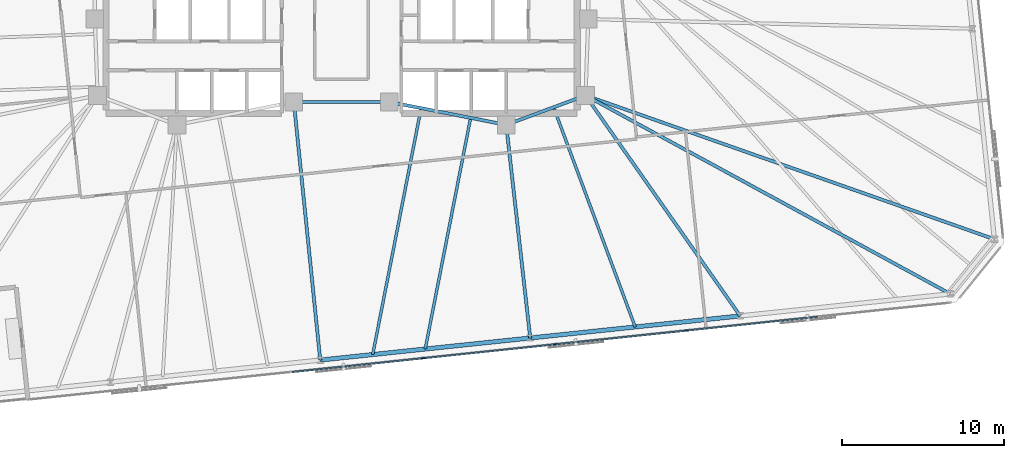
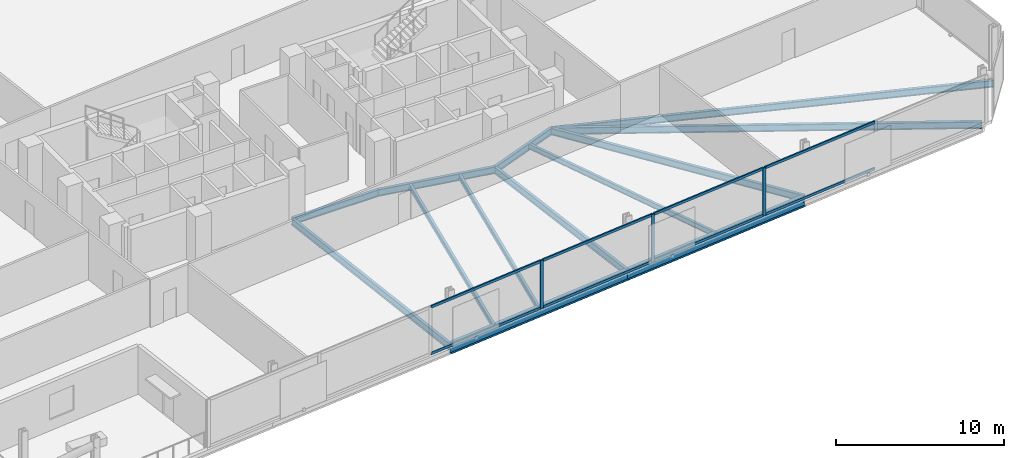
# One storey, part 7 of 18: 13 beams, 11 members, 1 element without a shape of its own.
"""IFC4 building model written with IfcOpenShell, lengths in metres."""

from ifc_helpers import new_model, si_unit, direction, frame, origin, origin_2d, place, context, subcontext, project, spatial, rectangle, i_section, extrude, material, material_profile, profile_set, type_object, element, aggregate, save


model = new_model("IFC4")

# Units and contexts
model_context = context("Model", 3, precision=1e-05, world=origin(), true_north=direction((0.0, 1.0)))
body_context = subcontext(model_context, "Body", "Model", "MODEL_VIEW")
ifc_project = project(units=[si_unit("LENGTHUNIT", "METRE"), si_unit("AREAUNIT", "SQUARE_METRE"), si_unit("VOLUMEUNIT", "CUBIC_METRE"), si_unit("PLANEANGLEUNIT", "RADIAN"), si_unit("MASSUNIT", "GRAM", prefix="KILO")], contexts=[model_context])

# Site, building, storey
site_placement = place(None, origin())
site = spatial("IfcSite", under=ifc_project, at=site_placement, CompositionType="ELEMENT")
building_placement = place(site_placement, origin())
building = spatial("IfcBuilding", under=site, at=building_placement, Name="Menara Jurai Vektor", CompositionType="ELEMENT")
storey_placement = place(building_placement, frame((0.0, 0.0, 113.300048828125)))
storey = spatial("IfcBuildingStorey", under=building, at=storey_placement, Name="L28", CompositionType="ELEMENT", Elevation=113.300048828125)

# Curtain wall, members
ifc_material_1 = material(Name="Anodised Pale Aluminium & Low-E Double Glazing", Category="aluminium")
curtain_wall_type = type_object("IfcCurtainWallType", Name="CW-BLK2", PredefinedType="NOTDEFINED", material=ifc_material_1)
curtain_wall_placement = place(storey_placement, origin())
curtain_wall = element("IfcCurtainWall", 1, at=curtain_wall_placement, inside=storey, type_object=curtain_wall_type, Name="Unitised Curtain Wall L28 F03", PredefinedType="NOTDEFINED")
ifc_material_2 = material(Name="Anodised Pale Aluminium Mullion", Category="aluminium")
ifc_material_profile_1 = material_profile(ifc_material_2, rectangle(XDim=0.090087890625, YDim=0.219970703125, at=origin_2d()), Name="ALU MUL 90x220")
ifc_profile_set_1 = profile_set([ifc_material_profile_1], Name="Anodised Pale Aluminium Mullion")
member_type_1 = type_object("IfcMemberType", Name="CW-BLK2-MUL", PredefinedType="MULLION", material=ifc_profile_set_1)
member_1_placement = place(storey_placement, frame((5.047119140625, -20.741943359375, 0.0), z_axis=(0.0, 0.0, 1.0), x_axis=(-0.104528945794, 0.994521844653, 0.0)))
member_1 = element("IfcMember", 2, at=member_1_placement, type_object=member_type_1, Name="CW-02 mullion 4", PredefinedType="MULLION", context=body_context, shape_type="SweptSolid", body=[
    extrude(rectangle(XDim=0.090087890625, YDim=0.219970703125, at=origin_2d()), origin(), (0.0, 0.0, 1.0), 3.474853515625),
])
member_2_placement = place(storey_placement, frame((13.190673828125, -19.885986328125, 0.0), z_axis=(0.0, 0.0, 1.0), x_axis=(-0.104528945794, 0.994521844653, 0.0)))
member_2 = element("IfcMember", 3, at=member_2_placement, type_object=member_type_1, Name="CW-02 mullion 5", PredefinedType="MULLION", context=body_context, shape_type="SweptSolid", body=[
    extrude(rectangle(XDim=0.090087890625, YDim=0.219970703125, at=origin_2d()), origin(), (0.0, 0.0, 1.0), 3.474853515625),
])
member_3_placement = place(storey_placement, frame((21.33447265625, -19.030029296875, 0.0), z_axis=(0.0, 0.0, 1.0), x_axis=(-0.104528945794, 0.994521844653, 0.0)))
member_3 = element("IfcMember", 4, at=member_3_placement, type_object=member_type_1, Name="CW-02 mullion 6", PredefinedType="MULLION", context=body_context, shape_type="SweptSolid", body=[
    extrude(rectangle(XDim=0.090087890625, YDim=0.219970703125, at=origin_2d()), origin(), (0.0, 0.0, 1.0), 3.474853515625),
])
ifc_material_3 = material(Name="Anodised Pale Aluminium Transom", Category="aluminium")
ifc_material_profile_2 = material_profile(ifc_material_3, rectangle(XDim=0.090087890625, YDim=0.18505859375, at=origin_2d()), Name="ALU TRN 90x185")
ifc_profile_set_2 = profile_set([ifc_material_profile_2], Name="Anodised Pale Aluminium Transom")
member_type_2 = type_object("IfcMemberType", Name="CW-BLK2-TRN", PredefinedType="USERDEFINED", material=ifc_profile_set_2)
member_4_placement = place(storey_placement, frame((-3.052001953125, -21.593017578125, 0.044921875), z_axis=(0.994523113505, 0.104516872826, 0.0), x_axis=(-0.104516872826, 0.994523113505, 0.0)))
member_4 = element("IfcMember", 5, at=member_4_placement, type_object=member_type_2, Name="CW-02 transom 3.1", ObjectType="TRANSOM", PredefinedType="USERDEFINED", context=body_context, shape_type="SweptSolid", body=[
    extrude(rectangle(XDim=0.090087890625, YDim=0.18505859375, at=origin_2d()), origin(), (0.0, 0.0, 1.0), 8.0986328125),
])
member_5_placement = place(storey_placement, frame((-3.052001953125, -21.593017578125, 3.429931640625), z_axis=(0.994523113505, 0.104516872826, 0.0), x_axis=(-0.104516872826, 0.994523113505, 0.0)))
member_5 = element("IfcMember", 6, at=member_5_placement, type_object=member_type_2, Name="CW-02 transom 3.2", ObjectType="TRANSOM", PredefinedType="USERDEFINED", context=body_context, shape_type="SweptSolid", body=[
    extrude(rectangle(XDim=0.090087890625, YDim=0.18505859375, at=origin_2d()), origin(), (0.0, 0.0, 1.0), 8.0986328125),
])
member_6_placement = place(storey_placement, frame((5.091796875, -20.737060546875, 0.044921875), z_axis=(0.994523113505, 0.104516872826, 0.0), x_axis=(-0.104516872826, 0.994523113505, 0.0)))
member_6 = element("IfcMember", 7, at=member_6_placement, type_object=member_type_2, Name="CW-02 transom 4.1", ObjectType="TRANSOM", PredefinedType="USERDEFINED", context=body_context, shape_type="SweptSolid", body=[
    extrude(rectangle(XDim=0.090087890625, YDim=0.18505859375, at=origin_2d()), origin(), (0.0, 0.0, 1.0), 8.0986328125),
])
member_7_placement = place(storey_placement, frame((5.091796875, -20.737060546875, 3.429931640625), z_axis=(0.994523113505, 0.104516872826, 0.0), x_axis=(-0.104516872826, 0.994523113505, 0.0)))
member_7 = element("IfcMember", 8, at=member_7_placement, type_object=member_type_2, Name="CW-02 transom 4.2", ObjectType="TRANSOM", PredefinedType="USERDEFINED", context=body_context, shape_type="SweptSolid", body=[
    extrude(rectangle(XDim=0.090087890625, YDim=0.18505859375, at=origin_2d()), origin(), (0.0, 0.0, 1.0), 8.0986328125),
])
member_8_placement = place(storey_placement, frame((13.235595703125, -19.881103515625, 0.044921875), z_axis=(0.994523113505, 0.104516872826, 0.0), x_axis=(-0.104516872826, 0.994523113505, 0.0)))
member_8 = element("IfcMember", 9, at=member_8_placement, type_object=member_type_2, Name="CW-02 transom 5.1", ObjectType="TRANSOM", PredefinedType="USERDEFINED", context=body_context, shape_type="SweptSolid", body=[
    extrude(rectangle(XDim=0.090087890625, YDim=0.18505859375, at=origin_2d()), origin(), (0.0, 0.0, 1.0), 8.0986328125),
])
member_9_placement = place(storey_placement, frame((13.235595703125, -19.881103515625, 3.429931640625), z_axis=(0.994523113505, 0.104516872826, 0.0), x_axis=(-0.104516872826, 0.994523113505, 0.0)))
member_9 = element("IfcMember", 10, at=member_9_placement, type_object=member_type_2, Name="CW-02 transom 5.2", ObjectType="TRANSOM", PredefinedType="USERDEFINED", context=body_context, shape_type="SweptSolid", body=[
    extrude(rectangle(XDim=0.090087890625, YDim=0.18505859375, at=origin_2d()), origin(), (0.0, 0.0, 1.0), 8.0986328125),
])
member_10_placement = place(storey_placement, frame((21.379150390625, -19.025390625, 0.044921875), z_axis=(0.994519979537, 0.104546689574, 0.0), x_axis=(-0.104546689574, 0.994519979537, 0.0)))
member_10 = element("IfcMember", 11, at=member_10_placement, type_object=member_type_2, Name="CW-02 transom 6.1", ObjectType="TRANSOM", PredefinedType="USERDEFINED", context=body_context, shape_type="SweptSolid", body=[
    extrude(rectangle(XDim=0.090087890625, YDim=0.18505859375, at=origin_2d()), origin(), (0.0, 0.0, 1.0), 8.0986328125),
])
member_11_placement = place(storey_placement, frame((21.379150390625, -19.025390625, 3.429931640625), z_axis=(0.994519979537, 0.104546689574, 0.0), x_axis=(-0.104546689574, 0.994519979537, 0.0)))
member_11 = element("IfcMember", 12, at=member_11_placement, type_object=member_type_2, Name="CW-02 transom 6.2", ObjectType="TRANSOM", PredefinedType="USERDEFINED", context=body_context, shape_type="SweptSolid", body=[
    extrude(rectangle(XDim=0.090087890625, YDim=0.18505859375, at=origin_2d()), origin(), (0.0, 0.0, 1.0), 8.0986328125),
])
aggregate(curtain_wall, [member_1, member_2, member_3, member_4, member_5, member_6, member_7, member_8, member_9, member_10, member_11])

# Beams
ifc_material_4 = material(Name="Steel S355", Category="steel")
ifc_material_profile_3 = material_profile(ifc_material_4, i_section(OverallWidth=0.199951171875, OverallDepth=0.5, WebThickness=0.011962890625, FlangeThickness=0.02001953125, at=origin_2d()), Name="PG 500x200x96")
ifc_profile_set_3 = profile_set([ifc_material_profile_3], Name="Steel S355")
beam_type_1 = type_object("IfcBeamType", Name="STR-BM-500", PredefinedType="BEAM", material=ifc_profile_set_3)
beam_1_placement = place(storey_placement, frame((10.179931640625, -6.320068359375, -0.47509765625), z_axis=(0.937424400887, 0.348188874925, 0.0), x_axis=(-0.348188874925, 0.937424400887, 0.0)))
element("IfcBeam", 13, at=beam_1_placement, inside=storey, type_object=beam_type_1, Name="Core Ring Header Girder L28-CHE-S1", PredefinedType="BEAM", context=body_context, shape_type="SweptSolid", body=[
    extrude(i_section(OverallWidth=0.199951171875, OverallDepth=0.5, WebThickness=0.011962890625, FlangeThickness=0.02001953125, at=origin_2d()), origin(), (0.0, 0.0, 1.0), 5.227294921875),
])
beam_2_placement = place(storey_placement, frame((2.949951171875, -4.89990234375, -0.47509765625), z_axis=(0.981249044334, -0.192744164614, 0.0), x_axis=(0.192744164614, 0.981249044334, 0.0)))
element("IfcBeam", 14, at=beam_2_placement, inside=storey, type_object=beam_type_1, Name="Core Ring Header Girder L28-CHE-S2", PredefinedType="BEAM", context=body_context, shape_type="SweptSolid", body=[
    extrude(i_section(OverallWidth=0.199951171875, OverallDepth=0.5, WebThickness=0.011962890625, FlangeThickness=0.02001953125, at=origin_2d()), origin(), (0.0, 0.0, 1.0), 7.3681640625),
])
beam_3_placement = place(storey_placement, frame((-2.949951171875, -4.89990234375, -0.47509765625), z_axis=(1.0, 0.0, 0.0), x_axis=(0.0, 1.0, 0.0)))
element("IfcBeam", 15, at=beam_3_placement, inside=storey, type_object=beam_type_1, Name="Core Ring Header Girder L28-CC-1", PredefinedType="BEAM", context=body_context, shape_type="SweptSolid", body=[
    extrude(i_section(OverallWidth=0.199951171875, OverallDepth=0.5, WebThickness=0.011962890625, FlangeThickness=0.02001953125, at=origin_2d()), origin(), (0.0, 0.0, 1.0), 5.89990234375),
])
beam_4_placement = place(storey_placement, frame((-1.31689453125, -20.85791015625, -0.47509765625), z_axis=(-0.101802947506, 0.994804583765, 0.0), x_axis=(-0.994804583765, -0.101802947506, 0.0)))
element("IfcBeam", 16, at=beam_4_placement, inside=storey, type_object=beam_type_1, Name="Radial Floor Girder L28-S3", PredefinedType="BEAM", context=body_context, shape_type="SweptSolid", body=[
    extrude(i_section(OverallWidth=0.199951171875, OverallDepth=0.5, WebThickness=0.011962890625, FlangeThickness=0.02001953125, at=origin_2d()), origin(), (0.0, 0.0, 1.0), 16.041259765625),
])
beam_5_placement = place(storey_placement, frame((11.66259765625, -19.493408203125, -0.47509765625), z_axis=(-0.111844331087, 0.99372573963, 0.0), x_axis=(-0.99372573963, -0.111844331087, 0.0)))
element("IfcBeam", 17, at=beam_5_placement, inside=storey, type_object=beam_type_1, Name="Radial Floor Girder L28-S4", PredefinedType="BEAM", context=body_context, shape_type="SweptSolid", body=[
    extrude(i_section(OverallWidth=0.199951171875, OverallDepth=0.5, WebThickness=0.011962890625, FlangeThickness=0.02001953125, at=origin_2d()), origin(), (0.0, 0.0, 1.0), 13.256591796875),
])
beam_6_placement = place(storey_placement, frame((24.64208984375, -18.12939453125, -0.47509765625), z_axis=(-0.574326112611, 0.818626603754, 0.0), x_axis=(-0.818626603754, -0.574326112611, 0.0)))
element("IfcBeam", 18, at=beam_6_placement, inside=storey, type_object=beam_type_1, Name="Radial Floor Girder L28-S5", PredefinedType="BEAM", context=body_context, shape_type="SweptSolid", body=[
    extrude(i_section(OverallWidth=0.199951171875, OverallDepth=0.5, WebThickness=0.011962890625, FlangeThickness=0.02001953125, at=origin_2d()), origin(), (0.0, 0.0, 1.0), 16.649169921875),
])
beam_7_placement = place(storey_placement, frame((37.621826171875, -16.76513671875, -0.47509765625), z_axis=(-0.878392468416, 0.477940029115, 0.0), x_axis=(-0.477940029115, -0.878392468416, 0.0)))
element("IfcBeam", 19, at=beam_7_placement, inside=storey, type_object=beam_type_1, Name="Radial Floor Girder L28-S6", PredefinedType="BEAM", context=body_context, shape_type="SweptSolid", body=[
    extrude(i_section(OverallWidth=0.199951171875, OverallDepth=0.5, WebThickness=0.011962890625, FlangeThickness=0.02001953125, at=origin_2d()), origin(), (0.0, 0.0, 1.0), 25.66259765625),
])
beam_8_placement = place(storey_placement, frame((40.356201171875, -13.388671875, -0.47509765625), z_axis=(-0.943368219745, 0.331747497315, 0.0), x_axis=(-0.331747497315, -0.943368219745, 0.0)))
element("IfcBeam", 20, at=beam_8_placement, inside=storey, type_object=beam_type_1, Name="Radial Floor Girder L28-E1", PredefinedType="BEAM", context=body_context, shape_type="SweptSolid", body=[
    extrude(i_section(OverallWidth=0.199951171875, OverallDepth=0.5, WebThickness=0.011962890625, FlangeThickness=0.02001953125, at=origin_2d()), origin(), (0.0, 0.0, 1.0), 26.79345703125),
])
ifc_material_profile_4 = material_profile(ifc_material_4, i_section(OverallWidth=0.175048828125, OverallDepth=0.3798828125, WebThickness=0.010009765625, FlangeThickness=0.014892578125, at=origin_2d()), Name="PG 380x175x58")
ifc_profile_set_4 = profile_set([ifc_material_profile_4], Name="Steel S355")
beam_type_2 = type_object("IfcBeamType", Name="STR-JS-380", PredefinedType="JOIST", material=ifc_profile_set_4)
beam_9_placement = place(storey_placement, frame((1.927978515625, -20.5166015625, -0.4150390625), z_axis=(0.192720963177, 0.981253601447, 0.0), x_axis=(-0.981253601447, 0.192720963177, 0.0)))
element("IfcBeam", 21, at=beam_9_placement, inside=storey, type_object=beam_type_2, Name="Radial Secondary Floor Joist L28-JS05", PredefinedType="JOIST", context=body_context, shape_type="SweptSolid", body=[
    extrude(i_section(OverallWidth=0.175048828125, OverallDepth=0.3798828125, WebThickness=0.010009765625, FlangeThickness=0.014892578125, at=origin_2d()), origin(), (0.0, 0.0, 1.0), 15.52099609375),
])
beam_10_placement = place(storey_placement, frame((5.1728515625, -20.175537109375, -0.4150390625), z_axis=(0.192719646422, 0.98125386006, 0.0), x_axis=(-0.98125386006, 0.192719646422, 0.0)))
element("IfcBeam", 22, at=beam_10_placement, inside=storey, type_object=beam_type_2, Name="Radial Secondary Floor Joist L28-JS06", PredefinedType="JOIST", context=body_context, shape_type="SweptSolid", body=[
    extrude(i_section(OverallWidth=0.175048828125, OverallDepth=0.3798828125, WebThickness=0.010009765625, FlangeThickness=0.014892578125, at=origin_2d()), origin(), (0.0, 0.0, 1.0), 14.560791015625),
])
beam_11_placement = place(storey_placement, frame((18.15234375, -18.811279296875, -0.4150390625), z_axis=(-0.348188645432, 0.937424486128, 0.0), x_axis=(-0.937424486128, -0.348188645432, 0.0)))
element("IfcBeam", 23, at=beam_11_placement, inside=storey, type_object=beam_type_2, Name="Radial Secondary Floor Joist L28-JS07", PredefinedType="JOIST", context=body_context, shape_type="SweptSolid", body=[
    extrude(i_section(OverallWidth=0.175048828125, OverallDepth=0.3798828125, WebThickness=0.010009765625, FlangeThickness=0.014892578125, at=origin_2d()), origin(), (0.0, 0.0, 1.0), 14.485595703125),
])
ifc_material_5 = material(Name="Steel S460", Category="steel")
ifc_material_profile_5 = material_profile(ifc_material_5, i_section(OverallWidth=0.26806640625, OverallDepth=0.77001953125, WebThickness=0.01611328125, FlangeThickness=0.02490234375, FilletRadius=0.01708984375, at=origin_2d()), Name="UKB 762x267x197")
ifc_profile_set_5 = profile_set([ifc_material_profile_5], Name="Steel S460")
beam_type_3 = type_object("IfcBeamType", Name="STR-SP-762", PredefinedType="SPANDREL", material=ifc_profile_set_5)
for number, where, z_axis, x_axis, name in (
    (24, (-1.31689453125, -20.85791015625, -0.610107421875), (0.994519486762, 0.104551377088, 0.0), (-0.104551377088, 0.994519486762, 0.0), "Exoskeleton Spandrel Beam L28-03"),
    (25, (11.66259765625, -19.493408203125, -0.610107421875), (0.99452337626, 0.104514372567, 0.0), (-0.104514372567, 0.99452337626, 0.0), "Exoskeleton Spandrel Beam L28-04"),
):
    element("IfcBeam", number, at=place(storey_placement, frame(where, z_axis=z_axis, x_axis=x_axis)), inside=storey, type_object=beam_type_3, Name=name, PredefinedType="SPANDREL", context=body_context, shape_type="SweptSolid", body=[
        extrude(i_section(OverallWidth=0.26806640625, OverallDepth=0.77001953125, WebThickness=0.01611328125, FlangeThickness=0.02490234375, FilletRadius=0.01708984375, at=origin_2d()), origin(), (0.0, 0.0, 1.0), 13.051025390625),
    ])

save(model, "model.ifc")
